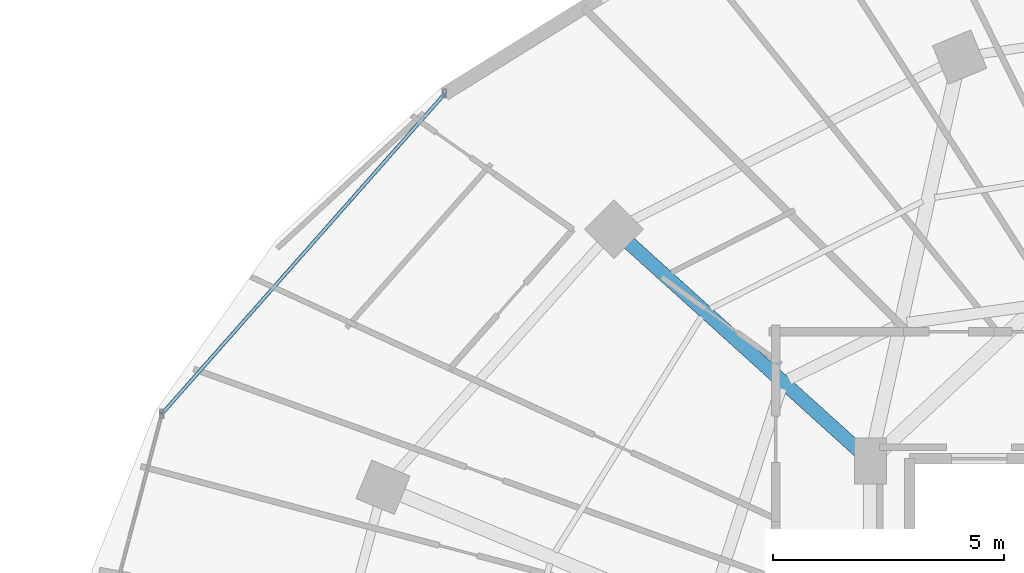
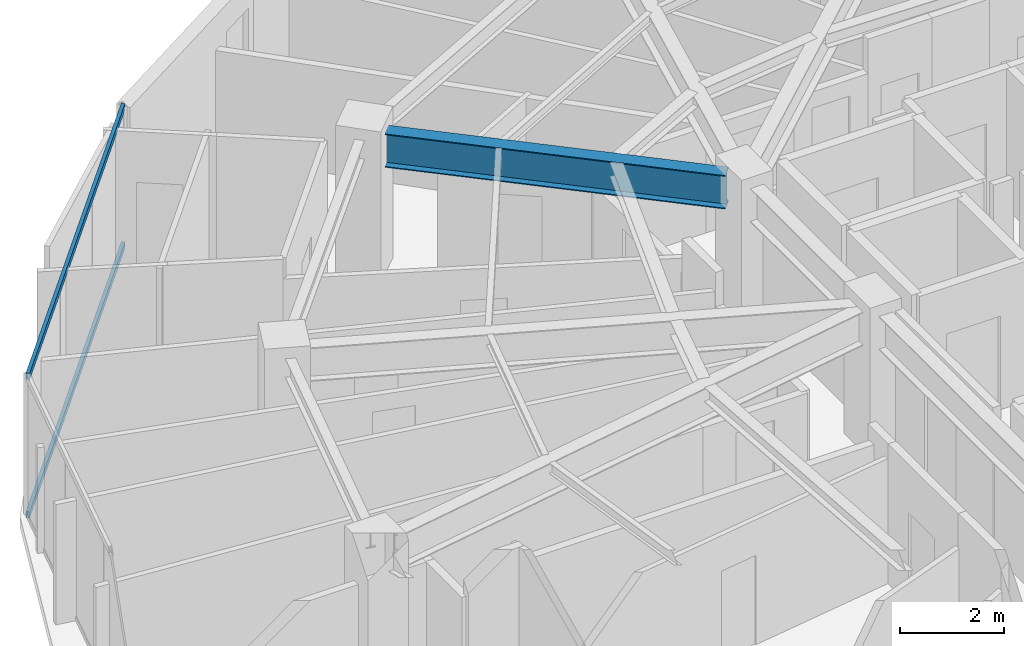
# One storey, part 16 of 33: 2 members, 1 beam, 1 element without a shape of its own.
"""IFC4 building model written with IfcOpenShell, lengths in metres."""

from ifc_helpers import new_model, si_unit, direction, frame, origin, origin_2d, place, context, subcontext, project, spatial, hollow_rectangle, i_section, extrude, material, material_profile, profile_set, type_object, element, aggregate, save


model = new_model("IFC4")

# Units and contexts
model_context = context("Model", 3, precision=1e-05, world=origin(), true_north=direction((0.0, 1.0)))
body_context = subcontext(model_context, "Body", "Model", "MODEL_VIEW")
ifc_project = project(units=[si_unit("LENGTHUNIT", "METRE"), si_unit("AREAUNIT", "SQUARE_METRE"), si_unit("VOLUMEUNIT", "CUBIC_METRE"), si_unit("PLANEANGLEUNIT", "RADIAN"), si_unit("MASSUNIT", "GRAM", prefix="KILO")], contexts=[model_context])

# Site, building, storey
site_placement = place(None, origin())
site = spatial("IfcSite", under=ifc_project, at=site_placement, CompositionType="ELEMENT")
building_placement = place(site_placement, origin())
building = spatial("IfcBuilding", under=site, at=building_placement, Name="Vorneva Point Tower", CompositionType="ELEMENT")
storey_placement = place(building_placement, frame((0.0, 0.0, 203.64990234375)))
storey = spatial("IfcBuildingStorey", under=building, at=storey_placement, Name="L55", CompositionType="ELEMENT", Elevation=203.64990234375)

# Beam
ifc_material_1 = material(Name="Steel S355", Category="steel")
ifc_material_profile_1 = material_profile(ifc_material_1, i_section(OverallWidth=0.300048828125, OverallDepth=0.7880859375, WebThickness=0.014404296875, FlangeThickness=0.02197265625, at=origin_2d()), Name="80Sh1")
ifc_profile_set_1 = profile_set([ifc_material_profile_1], Name="Steel S355")
beam_type = type_object("IfcBeamType", Name="BM-GRD-80Sh1", PredefinedType="USERDEFINED", material=ifc_profile_set_1)
beam_placement = place(storey_placement, frame((22.026123046875, 37.86865234375, 2.89599609375), z_axis=(0.742089778537, -0.670300500217, 0.0), x_axis=(0.670300500217, 0.742089778537, 0.0)))
element("IfcBeam", 1, at=beam_placement, inside=storey, type_object=beam_type, Name="L55 Radial Primary Girder 07", ObjectType="GIRDER", PredefinedType="USERDEFINED", context=body_context, shape_type="SweptSolid", body=[
    extrude(i_section(OverallWidth=0.300048828125, OverallDepth=0.7880859375, WebThickness=0.014404296875, FlangeThickness=0.02197265625, at=origin_2d()), origin(), (0.0, 0.0, 1.0), 6.699462890625),
])

# Curtain wall, members
ifc_material_2 = material(Name="Pale anodised aluminium", Category="aluminium")
curtain_wall_type = type_object("IfcCurtainWallType", Name="CW-RES-SYS", PredefinedType="NOTDEFINED", material=ifc_material_2)
curtain_wall_placement = place(storey_placement, origin())
curtain_wall = element("IfcCurtainWall", 2, at=curtain_wall_placement, inside=storey, type_object=curtain_wall_type, Name="L55 Unitised Curtain Wall CW-L55-R02", PredefinedType="NOTDEFINED")
ifc_material_profile_2 = material_profile(ifc_material_2, hollow_rectangle(XDim=0.074951171875, YDim=0.14990234375, WallThickness=0.00390625, at=origin_2d()), Name="AL-TRN 150x75x4")
ifc_profile_set_2 = profile_set([ifc_material_profile_2], Name="Pale anodised aluminium")
member_type = type_object("IfcMemberType", Name="CW-TRN-150", PredefinedType="USERDEFINED", material=ifc_profile_set_2)
member_1_placement = place(storey_placement, frame((18.038330078125, 41.0966796875, 0.02001953125), z_axis=(-0.662106383869, -0.749409858782, 0.0), x_axis=(0.749409858782, -0.662106383869, 0.0)))
member_1 = element("IfcMember", 3, at=member_1_placement, type_object=member_type, Name="CW-L55-R02 Transom 01.1", ObjectType="TRANSOM", PredefinedType="USERDEFINED", context=body_context, shape_type="SweptSolid", body=[
    extrude(hollow_rectangle(XDim=0.074951171875, YDim=0.14990234375, WallThickness=0.00390625, at=origin_2d()), origin(), (0.0, 0.0, 1.0), 9.2421875),
])
member_2_placement = place(storey_placement, frame((18.038330078125, 41.0966796875, 3.27001953125), z_axis=(-0.662106383869, -0.749409858782, 0.0), x_axis=(0.749409858782, -0.662106383869, 0.0)))
member_2 = element("IfcMember", 4, at=member_2_placement, type_object=member_type, Name="CW-L55-R02 Transom 01.2", ObjectType="TRANSOM", PredefinedType="USERDEFINED", context=body_context, shape_type="SweptSolid", body=[
    extrude(hollow_rectangle(XDim=0.074951171875, YDim=0.14990234375, WallThickness=0.00390625, at=origin_2d()), origin(), (0.0, 0.0, 1.0), 9.2421875),
])
aggregate(curtain_wall, [member_1, member_2])

save(model, "model.ifc")
